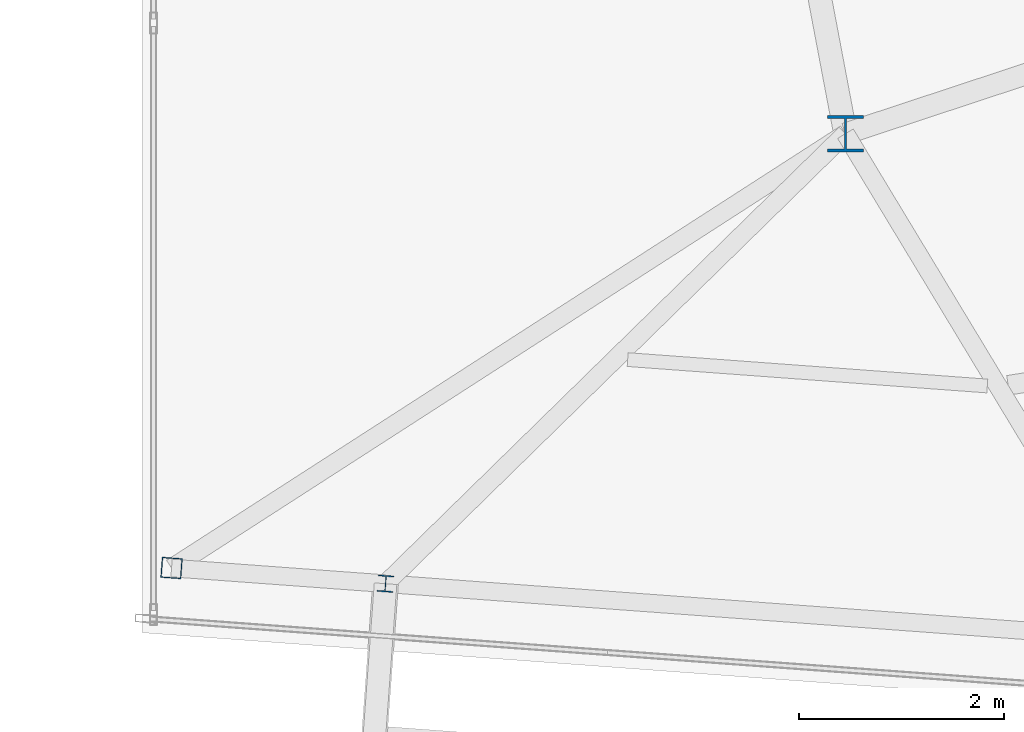
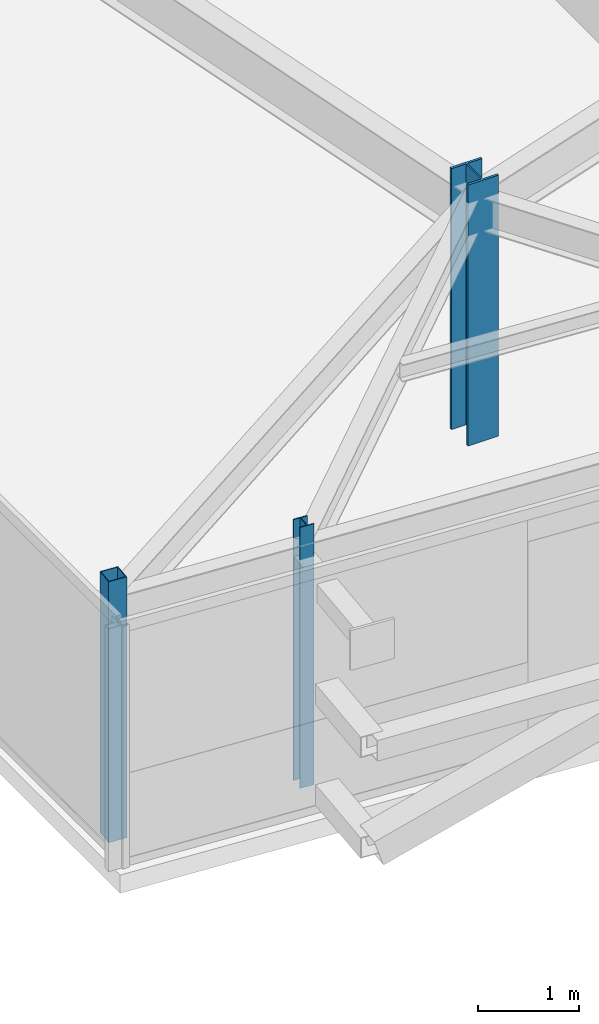
# One storey, part 2 of 39: 3 columns.
"""IFC4 building model written with IfcOpenShell, lengths in metres."""

from ifc_helpers import new_model, si_unit, direction, frame, origin, origin_2d, place, context, subcontext, project, spatial, hollow_rectangle, i_section, extrude, source, transform, mapped, material, material_profile, profile_set, type_object, element, save


model = new_model("IFC4")

# Units and contexts
model_context = context("Model", 3, precision=1e-05, world=origin(), true_north=direction((0.0, 1.0)))
body_context = subcontext(model_context, "Body", "Model", "MODEL_VIEW")
ifc_project = project(units=[si_unit("LENGTHUNIT", "METRE"), si_unit("AREAUNIT", "SQUARE_METRE"), si_unit("VOLUMEUNIT", "CUBIC_METRE"), si_unit("PLANEANGLEUNIT", "RADIAN"), si_unit("MASSUNIT", "GRAM", prefix="KILO")], contexts=[model_context])

# Site, building, storey
site_placement = place(None, origin())
site = spatial("IfcSite", under=ifc_project, at=site_placement, CompositionType="ELEMENT")
building_placement = place(site_placement, origin())
building = spatial("IfcBuilding", under=site, at=building_placement, Name="Taldren Reach Tower", CompositionType="ELEMENT")
storey_placement = place(building_placement, frame((0.0, 0.0, 230.300048828125)))
storey = spatial("IfcBuildingStorey", under=building, at=storey_placement, Name="L70", CompositionType="ELEMENT", Elevation=230.300048828125)

# Columns
ifc_material_1 = material(Name="Steel Gr 350 (350PLUS)", Category="steel")
ifc_material_profile_1 = material_profile(ifc_material_1, i_section(OverallWidth=0.35009765625, OverallDepth=0.35595703125, WebThickness=0.01806640625, FlangeThickness=0.028076171875, at=origin_2d()), Name="350WC197")
ifc_profile_set_1 = profile_set([ifc_material_profile_1], Name="Steel Gr 350 (350PLUS)")
column_type_1 = type_object("IfcColumnType", Name="COL-WC350", PredefinedType="COLUMN", material=ifc_profile_set_1)
shared_shape_1 = source(origin(), body_context, "Body", "SweptSolid", [
    extrude(i_section(OverallWidth=0.35009765625, OverallDepth=0.35595703125, WebThickness=0.01806640625, FlangeThickness=0.028076171875, at=origin_2d()), origin(), (0.0, 0.0, 1.0), 3.14990234375),
])
column_1_placement = place(storey_placement, frame((42.0, 9.199951171875, 0.0), z_axis=(0.0, 0.0, 1.0), x_axis=(1.0, 0.0, 0.0)))
element("IfcColumn", 1, at=column_1_placement, inside=storey, type_object=column_type_1, Name="Mega column MC-PJE L70", PredefinedType="COLUMN", context=body_context, shape_type="MappedRepresentation", body=[
    mapped(shared_shape_1, transform((0.0, 0.0, 0.0), scale=1.0)),
])
ifc_material_2 = material(Name="Steel Gr 350 (C350L0)", Category="steel")
ifc_material_profile_2 = material_profile(ifc_material_2, hollow_rectangle(XDim=0.199951171875, YDim=0.199951171875, WallThickness=0.009033203125, at=origin_2d()), Name="200x200x9.0SHS")
ifc_profile_set_2 = profile_set([ifc_material_profile_2], Name="Steel Gr 350 (C350L0)")
column_type_2 = type_object("IfcColumnType", Name="COL-SHS200", PredefinedType="COLUMN", material=ifc_profile_set_2)
shared_shape_2 = source(origin(), body_context, "Body", "SweptSolid", [
    extrude(hollow_rectangle(XDim=0.199951171875, YDim=0.199951171875, WallThickness=0.009033203125, at=origin_2d()), origin(), (0.0, 0.0, 1.0), 3.14990234375),
])
column_2_placement = place(storey_placement, frame((35.43603515625, 4.9697265625, 0.0), z_axis=(0.0, 0.0, 1.0), x_axis=(0.997314477224, -0.073238197128, 0.0)))
element("IfcColumn", 2, at=column_2_placement, inside=storey, type_object=column_type_2, Name="Block B5 perimeter column PJ2 L70", PredefinedType="COLUMN", context=body_context, shape_type="MappedRepresentation", body=[
    mapped(shared_shape_2, transform((0.0, 0.0, 0.0), scale=1.0)),
])
ifc_material_profile_3 = material_profile(ifc_material_1, i_section(OverallWidth=0.154052734375, OverallDepth=0.162109375, WebThickness=0.008056640625, FlangeThickness=0.011474609375, at=origin_2d()), Name="150UC37.2")
ifc_profile_set_3 = profile_set([ifc_material_profile_3], Name="Steel Gr 350 (350PLUS)")
column_type_3 = type_object("IfcColumnType", Name="COL-UC150", PredefinedType="COLUMN", material=ifc_profile_set_3)
shared_shape_3 = source(origin(), body_context, "Body", "SweptSolid", [
    extrude(i_section(OverallWidth=0.154052734375, OverallDepth=0.162109375, WebThickness=0.008056640625, FlangeThickness=0.011474609375, at=origin_2d()), origin(), (0.0, 0.0, 1.0), 3.14990234375),
])
column_3_placement = place(storey_placement, frame((37.5205078125, 4.81689453125, 0.0), z_axis=(0.0, 0.0, 1.0), x_axis=(0.997314477224, -0.073238197128, 0.0)))
element("IfcColumn", 3, at=column_3_placement, inside=storey, type_object=column_type_3, Name="Block B5 perimeter column S4 L70", PredefinedType="COLUMN", context=body_context, shape_type="MappedRepresentation", body=[
    mapped(shared_shape_3, transform((0.0, 0.0, 0.0), scale=1.0)),
])

save(model, "model.ifc")
